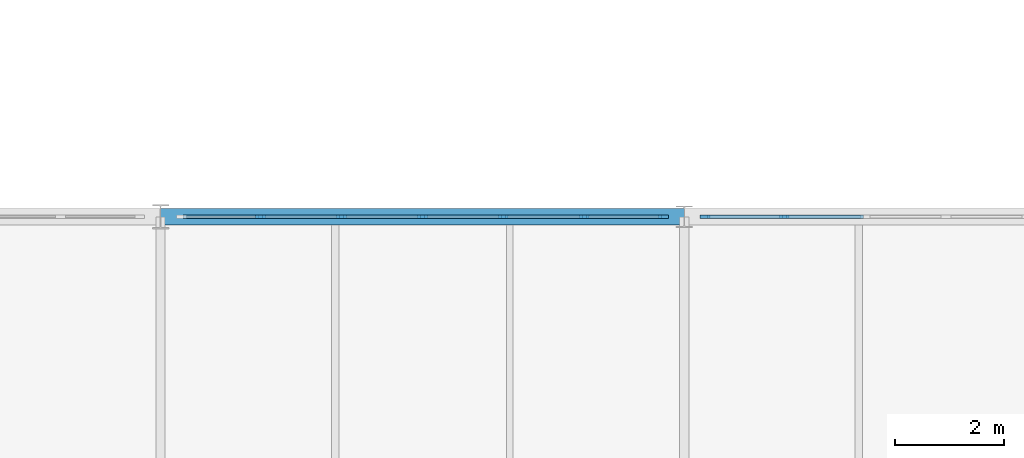
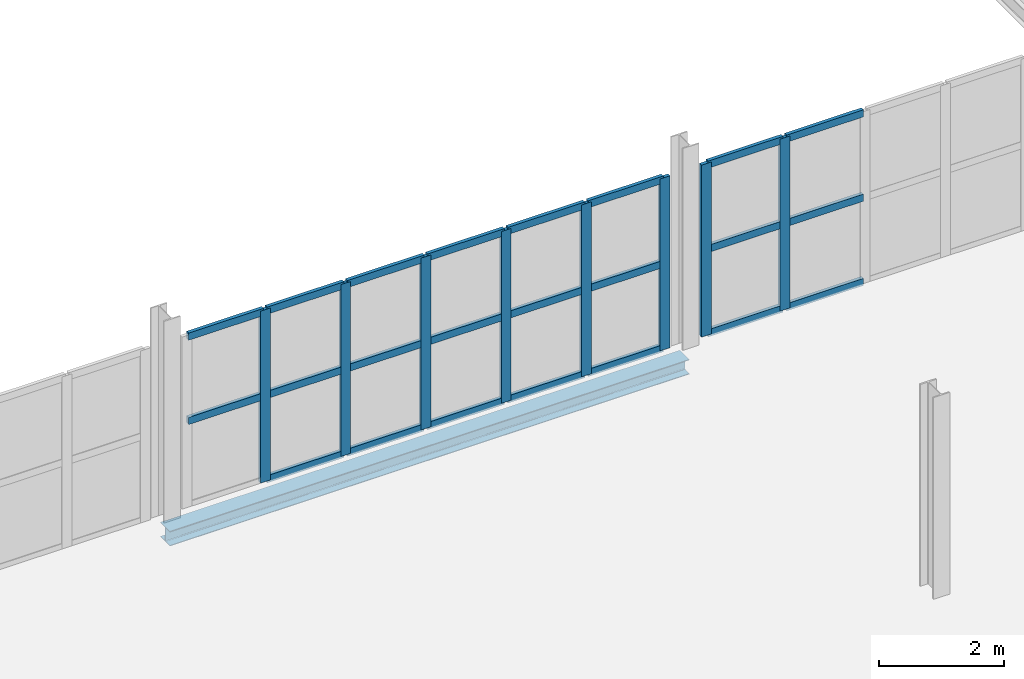
# One storey, part 45 of 85: 31 members, 1 beam, 2 elements without a shape of their own.
"""IFC4 building model written with IfcOpenShell, lengths in metres."""

from ifc_helpers import new_model, si_unit, direction, frame, origin, origin_2d, place, context, subcontext, project, spatial, rectangle, i_section, extrude, material, layer, layer_set, material_profile, profile_set, type_object, element, aggregate, save


model = new_model("IFC4")

# Units and contexts
model_context = context("Model", 3, precision=1e-05, world=origin(), true_north=direction((0.0, 1.0)))
body_context = subcontext(model_context, "Body", "Model", "MODEL_VIEW")
ifc_project = project(units=[si_unit("LENGTHUNIT", "METRE"), si_unit("AREAUNIT", "SQUARE_METRE"), si_unit("VOLUMEUNIT", "CUBIC_METRE"), si_unit("PLANEANGLEUNIT", "RADIAN"), si_unit("MASSUNIT", "GRAM", prefix="KILO")], contexts=[model_context])

# Site, building, storey
site_placement = place(None, origin())
site = spatial("IfcSite", under=ifc_project, at=site_placement, CompositionType="ELEMENT")
building_placement = place(site_placement, origin())
building = spatial("IfcBuilding", under=site, at=building_placement, Name="Alderhovde Museum", CompositionType="ELEMENT")
storey_placement = place(building_placement, frame((0.0, 0.0, 8.699951171875)))
storey = spatial("IfcBuildingStorey", under=building, at=storey_placement, Name="L02", CompositionType="ELEMENT", Elevation=8.699951171875)

# Curtain wall, members
ifc_material_1 = material(Name="Triple-Glazed Bronze-Anodised Curtain Wall", Category="glass")
ifc_layer = layer(ifc_material_1, 0.179931640625)
ifc_layer_set = layer_set([ifc_layer], Name="Triple-Glazed Bronze-Anodised Curtain Wall")
curtain_wall_type = type_object("IfcCurtainWallType", Name="CW-STIC-890x336", PredefinedType="USERDEFINED", material=ifc_layer_set)
curtain_wall_1_placement = place(storey_placement, origin())
curtain_wall_1 = element("IfcCurtainWall", 1, at=curtain_wall_1_placement, inside=storey, type_object=curtain_wall_type, Name="L02 Stick Curtain Wall 160", ObjectType="STICK CURTAIN WALL", PredefinedType="USERDEFINED")
ifc_material_2 = material(Name="Bronze-Anodised Aluminium EN AW-6063-T6", Category="aluminium")
ifc_material_profile_1 = material_profile(ifc_material_2, rectangle(XDim=0.06494140625, YDim=0.179931640625, at=origin_2d()), Name="MULLION 65x180")
ifc_profile_set_1 = profile_set([ifc_material_profile_1], Name="Bronze-Anodised Aluminium EN AW-6063-T6")
member_type_1 = type_object("IfcMemberType", Name="CWM-65x180", PredefinedType="MULLION", material=ifc_profile_set_1)
member_1_placement = place(storey_placement, frame((126.63330078125, 48.0, 0.0), z_axis=(0.0, 0.0, 1.0), x_axis=(0.0, 1.0, 0.0)))
member_1 = element("IfcMember", 2, at=member_1_placement, type_object=member_type_1, Name="CW38 mullion 2", PredefinedType="MULLION", context=body_context, shape_type="SweptSolid", body=[
    extrude(rectangle(XDim=0.06494140625, YDim=0.179931640625, at=origin_2d()), origin(), (0.0, 0.0, 1.0), 3.360107421875),
])
member_2_placement = place(storey_placement, frame((128.11669921875, 48.0, 0.0), z_axis=(0.0, 0.0, 1.0), x_axis=(0.0, 1.0, 0.0)))
member_2 = element("IfcMember", 3, at=member_2_placement, type_object=member_type_1, Name="CW38 mullion 3", PredefinedType="MULLION", context=body_context, shape_type="SweptSolid", body=[
    extrude(rectangle(XDim=0.06494140625, YDim=0.179931640625, at=origin_2d()), origin(), (0.0, 0.0, 1.0), 3.360107421875),
])
member_3_placement = place(storey_placement, frame((129.60009765625, 48.0, 0.0), z_axis=(0.0, 0.0, 1.0), x_axis=(0.0, 1.0, 0.0)))
member_3 = element("IfcMember", 4, at=member_3_placement, type_object=member_type_1, Name="CW38 mullion 4", PredefinedType="MULLION", context=body_context, shape_type="SweptSolid", body=[
    extrude(rectangle(XDim=0.06494140625, YDim=0.179931640625, at=origin_2d()), origin(), (0.0, 0.0, 1.0), 3.360107421875),
])
member_4_placement = place(storey_placement, frame((131.083251953125, 48.0, 0.0), z_axis=(0.0, 0.0, 1.0), x_axis=(0.0, 1.0, 0.0)))
member_4 = element("IfcMember", 5, at=member_4_placement, type_object=member_type_1, Name="CW38 mullion 5", PredefinedType="MULLION", context=body_context, shape_type="SweptSolid", body=[
    extrude(rectangle(XDim=0.06494140625, YDim=0.179931640625, at=origin_2d()), origin(), (0.0, 0.0, 1.0), 3.360107421875),
])
member_5_placement = place(storey_placement, frame((132.566650390625, 48.0, 0.0), z_axis=(0.0, 0.0, 1.0), x_axis=(0.0, 1.0, 0.0)))
member_5 = element("IfcMember", 6, at=member_5_placement, type_object=member_type_1, Name="CW38 mullion 6", PredefinedType="MULLION", context=body_context, shape_type="SweptSolid", body=[
    extrude(rectangle(XDim=0.06494140625, YDim=0.179931640625, at=origin_2d()), origin(), (0.0, 0.0, 1.0), 3.360107421875),
])
member_6_placement = place(storey_placement, frame((134.017578125, 48.0, 0.0), z_axis=(0.0, 0.0, 1.0), x_axis=(0.0, 1.0, 0.0)))
member_6 = element("IfcMember", 7, at=member_6_placement, type_object=member_type_1, Name="CW38 mullion 7", PredefinedType="MULLION", context=body_context, shape_type="SweptSolid", body=[
    extrude(rectangle(XDim=0.06494140625, YDim=0.179931640625, at=origin_2d()), origin(), (0.0, 0.0, 1.0), 3.360107421875),
])

curtain_wall_2_placement = place(storey_placement, origin())
curtain_wall_2 = element("IfcCurtainWall", 8, at=curtain_wall_2_placement, inside=storey, type_object=curtain_wall_type, Name="L02 Stick Curtain Wall 163", ObjectType="STICK CURTAIN WALL", PredefinedType="USERDEFINED")
member_7_placement = place(storey_placement, frame((134.782470703125, 48.0, 0.0), z_axis=(0.0, 0.0, 1.0), x_axis=(0.0, 1.0, 0.0)))
member_7 = element("IfcMember", 9, at=member_7_placement, type_object=member_type_1, Name="CW38 mullion 1", PredefinedType="MULLION", context=body_context, shape_type="SweptSolid", body=[
    extrude(rectangle(XDim=0.06494140625, YDim=0.179931640625, at=origin_2d()), origin(), (0.0, 0.0, 1.0), 3.360107421875),
])
member_8_placement = place(storey_placement, frame((136.2333984375, 48.0, 0.0), z_axis=(0.0, 0.0, 1.0), x_axis=(0.0, 1.0, 0.0)))
member_8 = element("IfcMember", 10, at=member_8_placement, type_object=member_type_1, Name="CW38 mullion 2", PredefinedType="MULLION", context=body_context, shape_type="SweptSolid", body=[
    extrude(rectangle(XDim=0.06494140625, YDim=0.179931640625, at=origin_2d()), origin(), (0.0, 0.0, 1.0), 3.360107421875),
])

# Member
ifc_material_3 = material(Name="Bronze-Anodised Aluminium EN AW-6063-T6", Category="aluminium")
ifc_material_profile_2 = material_profile(ifc_material_3, rectangle(XDim=0.06494140625, YDim=0.139892578125, at=origin_2d()), Name="TRANSOM 65x140")
ifc_profile_set_2 = profile_set([ifc_material_profile_2], Name="Bronze-Anodised Aluminium EN AW-6063-T6")
member_type_2 = type_object("IfcMemberType", Name="CWT-65x140", PredefinedType="USERDEFINED", material=ifc_profile_set_2)
member_9_placement = place(storey_placement, frame((125.215087890625, 48.0, 1.679931640625), z_axis=(1.0, 0.0, 0.0), x_axis=(0.0, 1.0, 0.0)))
member_9 = element("IfcMember", 11, at=member_9_placement, type_object=member_type_2, Name="CW38 transom 1.2", ObjectType="TRANSOM", PredefinedType="USERDEFINED", context=body_context, shape_type="SweptSolid", body=[
    extrude(rectangle(XDim=0.06494140625, YDim=0.139892578125, at=origin_2d()), origin(), (0.0, 0.0, 1.0), 1.3857421875),
])

member_10_placement = place(storey_placement, frame((125.215087890625, 48.0, 3.32763671875), z_axis=(1.0, 0.0, 0.0), x_axis=(0.0, 1.0, 0.0)))
member_10 = element("IfcMember", 12, at=member_10_placement, type_object=member_type_2, Name="CW38 transom 1.3", ObjectType="TRANSOM", PredefinedType="USERDEFINED", context=body_context, shape_type="SweptSolid", body=[
    extrude(rectangle(XDim=0.06494140625, YDim=0.139892578125, at=origin_2d()), origin(), (0.0, 0.0, 1.0), 1.3857421875),
])

member_11_placement = place(storey_placement, frame((126.665771484375, 48.0, 0.032470703125), z_axis=(1.0, 0.0, 0.0), x_axis=(0.0, 1.0, 0.0)))
member_11 = element("IfcMember", 13, at=member_11_placement, type_object=member_type_2, Name="CW38 transom 2.1", ObjectType="TRANSOM", PredefinedType="USERDEFINED", context=body_context, shape_type="SweptSolid", body=[
    extrude(rectangle(XDim=0.06494140625, YDim=0.139892578125, at=origin_2d()), origin(), (0.0, 0.0, 1.0), 1.41845703125),
])

member_12_placement = place(storey_placement, frame((126.665771484375, 48.0, 1.679931640625), z_axis=(1.0, 0.0, 0.0), x_axis=(0.0, 1.0, 0.0)))
member_12 = element("IfcMember", 14, at=member_12_placement, type_object=member_type_2, Name="CW38 transom 2.2", ObjectType="TRANSOM", PredefinedType="USERDEFINED", context=body_context, shape_type="SweptSolid", body=[
    extrude(rectangle(XDim=0.06494140625, YDim=0.139892578125, at=origin_2d()), origin(), (0.0, 0.0, 1.0), 1.41845703125),
])

member_13_placement = place(storey_placement, frame((126.665771484375, 48.0, 3.32763671875), z_axis=(1.0, 0.0, 0.0), x_axis=(0.0, 1.0, 0.0)))
member_13 = element("IfcMember", 15, at=member_13_placement, type_object=member_type_2, Name="CW38 transom 2.3", ObjectType="TRANSOM", PredefinedType="USERDEFINED", context=body_context, shape_type="SweptSolid", body=[
    extrude(rectangle(XDim=0.06494140625, YDim=0.139892578125, at=origin_2d()), origin(), (0.0, 0.0, 1.0), 1.41845703125),
])

member_14_placement = place(storey_placement, frame((128.149169921875, 48.0, 0.032470703125), z_axis=(1.0, 0.0, 0.0), x_axis=(0.0, 1.0, 0.0)))
member_14 = element("IfcMember", 16, at=member_14_placement, type_object=member_type_2, Name="CW38 transom 3.1", ObjectType="TRANSOM", PredefinedType="USERDEFINED", context=body_context, shape_type="SweptSolid", body=[
    extrude(rectangle(XDim=0.06494140625, YDim=0.139892578125, at=origin_2d()), origin(), (0.0, 0.0, 1.0), 1.418212890625),
])

member_15_placement = place(storey_placement, frame((128.149169921875, 48.0, 1.679931640625), z_axis=(1.0, 0.0, 0.0), x_axis=(0.0, 1.0, 0.0)))
member_15 = element("IfcMember", 17, at=member_15_placement, type_object=member_type_2, Name="CW38 transom 3.2", ObjectType="TRANSOM", PredefinedType="USERDEFINED", context=body_context, shape_type="SweptSolid", body=[
    extrude(rectangle(XDim=0.06494140625, YDim=0.139892578125, at=origin_2d()), origin(), (0.0, 0.0, 1.0), 1.418212890625),
])

member_16_placement = place(storey_placement, frame((128.149169921875, 48.0, 3.32763671875), z_axis=(1.0, 0.0, 0.0), x_axis=(0.0, 1.0, 0.0)))
member_16 = element("IfcMember", 18, at=member_16_placement, type_object=member_type_2, Name="CW38 transom 3.3", ObjectType="TRANSOM", PredefinedType="USERDEFINED", context=body_context, shape_type="SweptSolid", body=[
    extrude(rectangle(XDim=0.06494140625, YDim=0.139892578125, at=origin_2d()), origin(), (0.0, 0.0, 1.0), 1.418212890625),
])

member_17_placement = place(storey_placement, frame((129.632568359375, 48.0, 0.032470703125), z_axis=(1.0, 0.0, 0.0), x_axis=(0.0, 1.0, 0.0)))
member_17 = element("IfcMember", 19, at=member_17_placement, type_object=member_type_2, Name="CW38 transom 4.1", ObjectType="TRANSOM", PredefinedType="USERDEFINED", context=body_context, shape_type="SweptSolid", body=[
    extrude(rectangle(XDim=0.06494140625, YDim=0.139892578125, at=origin_2d()), origin(), (0.0, 0.0, 1.0), 1.418212890625),
])

member_18_placement = place(storey_placement, frame((129.632568359375, 48.0, 1.679931640625), z_axis=(1.0, 0.0, 0.0), x_axis=(0.0, 1.0, 0.0)))
member_18 = element("IfcMember", 20, at=member_18_placement, type_object=member_type_2, Name="CW38 transom 4.2", ObjectType="TRANSOM", PredefinedType="USERDEFINED", context=body_context, shape_type="SweptSolid", body=[
    extrude(rectangle(XDim=0.06494140625, YDim=0.139892578125, at=origin_2d()), origin(), (0.0, 0.0, 1.0), 1.418212890625),
])

member_19_placement = place(storey_placement, frame((129.632568359375, 48.0, 3.32763671875), z_axis=(1.0, 0.0, 0.0), x_axis=(0.0, 1.0, 0.0)))
member_19 = element("IfcMember", 21, at=member_19_placement, type_object=member_type_2, Name="CW38 transom 4.3", ObjectType="TRANSOM", PredefinedType="USERDEFINED", context=body_context, shape_type="SweptSolid", body=[
    extrude(rectangle(XDim=0.06494140625, YDim=0.139892578125, at=origin_2d()), origin(), (0.0, 0.0, 1.0), 1.418212890625),
])

member_20_placement = place(storey_placement, frame((131.11572265625, 48.0, 0.032470703125), z_axis=(1.0, 0.0, 0.0), x_axis=(0.0, 1.0, 0.0)))
member_20 = element("IfcMember", 22, at=member_20_placement, type_object=member_type_2, Name="CW38 transom 5.1", ObjectType="TRANSOM", PredefinedType="USERDEFINED", context=body_context, shape_type="SweptSolid", body=[
    extrude(rectangle(XDim=0.06494140625, YDim=0.139892578125, at=origin_2d()), origin(), (0.0, 0.0, 1.0), 1.41845703125),
])

member_21_placement = place(storey_placement, frame((131.11572265625, 48.0, 1.679931640625), z_axis=(1.0, 0.0, 0.0), x_axis=(0.0, 1.0, 0.0)))
member_21 = element("IfcMember", 23, at=member_21_placement, type_object=member_type_2, Name="CW38 transom 5.2", ObjectType="TRANSOM", PredefinedType="USERDEFINED", context=body_context, shape_type="SweptSolid", body=[
    extrude(rectangle(XDim=0.06494140625, YDim=0.139892578125, at=origin_2d()), origin(), (0.0, 0.0, 1.0), 1.41845703125),
])

member_22_placement = place(storey_placement, frame((131.11572265625, 48.0, 3.32763671875), z_axis=(1.0, 0.0, 0.0), x_axis=(0.0, 1.0, 0.0)))
member_22 = element("IfcMember", 24, at=member_22_placement, type_object=member_type_2, Name="CW38 transom 5.3", ObjectType="TRANSOM", PredefinedType="USERDEFINED", context=body_context, shape_type="SweptSolid", body=[
    extrude(rectangle(XDim=0.06494140625, YDim=0.139892578125, at=origin_2d()), origin(), (0.0, 0.0, 1.0), 1.41845703125),
])

member_23_placement = place(storey_placement, frame((132.59912109375, 48.0, 0.032470703125), z_axis=(1.0, 0.0, 0.0), x_axis=(0.0, 1.0, 0.0)))
member_23 = element("IfcMember", 25, at=member_23_placement, type_object=member_type_2, Name="CW38 transom 6.1", ObjectType="TRANSOM", PredefinedType="USERDEFINED", context=body_context, shape_type="SweptSolid", body=[
    extrude(rectangle(XDim=0.06494140625, YDim=0.139892578125, at=origin_2d()), origin(), (0.0, 0.0, 1.0), 1.385986328125),
])

member_24_placement = place(storey_placement, frame((132.59912109375, 48.0, 1.679931640625), z_axis=(1.0, 0.0, 0.0), x_axis=(0.0, 1.0, 0.0)))
member_24 = element("IfcMember", 26, at=member_24_placement, type_object=member_type_2, Name="CW38 transom 6.2", ObjectType="TRANSOM", PredefinedType="USERDEFINED", context=body_context, shape_type="SweptSolid", body=[
    extrude(rectangle(XDim=0.06494140625, YDim=0.139892578125, at=origin_2d()), origin(), (0.0, 0.0, 1.0), 1.385986328125),
])

member_25_placement = place(storey_placement, frame((132.59912109375, 48.0, 3.32763671875), z_axis=(1.0, 0.0, 0.0), x_axis=(0.0, 1.0, 0.0)))
member_25 = element("IfcMember", 27, at=member_25_placement, type_object=member_type_2, Name="CW38 transom 6.3", ObjectType="TRANSOM", PredefinedType="USERDEFINED", context=body_context, shape_type="SweptSolid", body=[
    extrude(rectangle(XDim=0.06494140625, YDim=0.139892578125, at=origin_2d()), origin(), (0.0, 0.0, 1.0), 1.385986328125),
])

aggregate(curtain_wall_1, [member_1, member_2, member_3, member_4, member_5, member_6, member_9, member_10, member_11, member_12, member_13, member_14, member_15, member_16, member_17, member_18, member_19, member_20, member_21, member_22, member_23, member_24, member_25])

member_26_placement = place(storey_placement, frame((134.81494140625, 48.0, 0.032470703125), z_axis=(1.0, 0.0, 0.0), x_axis=(0.0, 1.0, 0.0)))
member_26 = element("IfcMember", 28, at=member_26_placement, type_object=member_type_2, Name="CW38 transom 1.1", ObjectType="TRANSOM", PredefinedType="USERDEFINED", context=body_context, shape_type="SweptSolid", body=[
    extrude(rectangle(XDim=0.06494140625, YDim=0.139892578125, at=origin_2d()), origin(), (0.0, 0.0, 1.0), 1.385986328125),
])

member_27_placement = place(storey_placement, frame((134.81494140625, 48.0, 1.679931640625), z_axis=(1.0, 0.0, 0.0), x_axis=(0.0, 1.0, 0.0)))
member_27 = element("IfcMember", 29, at=member_27_placement, type_object=member_type_2, Name="CW38 transom 1.2", ObjectType="TRANSOM", PredefinedType="USERDEFINED", context=body_context, shape_type="SweptSolid", body=[
    extrude(rectangle(XDim=0.06494140625, YDim=0.139892578125, at=origin_2d()), origin(), (0.0, 0.0, 1.0), 1.385986328125),
])

member_28_placement = place(storey_placement, frame((134.81494140625, 48.0, 3.32763671875), z_axis=(1.0, 0.0, 0.0), x_axis=(0.0, 1.0, 0.0)))
member_28 = element("IfcMember", 30, at=member_28_placement, type_object=member_type_2, Name="CW38 transom 1.3", ObjectType="TRANSOM", PredefinedType="USERDEFINED", context=body_context, shape_type="SweptSolid", body=[
    extrude(rectangle(XDim=0.06494140625, YDim=0.139892578125, at=origin_2d()), origin(), (0.0, 0.0, 1.0), 1.385986328125),
])

member_29_placement = place(storey_placement, frame((136.265869140625, 48.0, 0.032470703125), z_axis=(1.0, 0.0, 0.0), x_axis=(0.0, 1.0, 0.0)))
member_29 = element("IfcMember", 31, at=member_29_placement, type_object=member_type_2, Name="CW38 transom 2.1", ObjectType="TRANSOM", PredefinedType="USERDEFINED", context=body_context, shape_type="SweptSolid", body=[
    extrude(rectangle(XDim=0.06494140625, YDim=0.139892578125, at=origin_2d()), origin(), (0.0, 0.0, 1.0), 1.418212890625),
])

member_30_placement = place(storey_placement, frame((136.265869140625, 48.0, 1.679931640625), z_axis=(1.0, 0.0, 0.0), x_axis=(0.0, 1.0, 0.0)))
member_30 = element("IfcMember", 32, at=member_30_placement, type_object=member_type_2, Name="CW38 transom 2.2", ObjectType="TRANSOM", PredefinedType="USERDEFINED", context=body_context, shape_type="SweptSolid", body=[
    extrude(rectangle(XDim=0.06494140625, YDim=0.139892578125, at=origin_2d()), origin(), (0.0, 0.0, 1.0), 1.418212890625),
])

member_31_placement = place(storey_placement, frame((136.265869140625, 48.0, 3.32763671875), z_axis=(1.0, 0.0, 0.0), x_axis=(0.0, 1.0, 0.0)))
member_31 = element("IfcMember", 33, at=member_31_placement, type_object=member_type_2, Name="CW38 transom 2.3", ObjectType="TRANSOM", PredefinedType="USERDEFINED", context=body_context, shape_type="SweptSolid", body=[
    extrude(rectangle(XDim=0.06494140625, YDim=0.139892578125, at=origin_2d()), origin(), (0.0, 0.0, 1.0), 1.418212890625),
])

aggregate(curtain_wall_2, [member_7, member_8, member_26, member_27, member_28, member_29, member_30, member_31])

# Beam
ifc_material_4 = material(Name="Steel S355J2", Category="steel")
ifc_material_profile_3 = material_profile(ifc_material_4, i_section(OverallWidth=0.300048828125, OverallDepth=0.2900390625, WebThickness=0.008544921875, FlangeThickness=0.013916015625, FilletRadius=0.027099609375, at=origin_2d()), Name="HEA 300")
ifc_profile_set_3 = profile_set([ifc_material_profile_3], Name="Steel S355J2")
beam_type = type_object("IfcBeamType", Name="SPD-HEA300", PredefinedType="SPANDREL", material=ifc_profile_set_3)
beam_placement = place(storey_placement, frame((124.800048828125, 48.0, -0.405029296875), z_axis=(1.0, 0.0, 0.0), x_axis=(0.0, 1.0, 0.0)))
element("IfcBeam", 34, at=beam_placement, inside=storey, type_object=beam_type, Name="L02 Grid Beam Y=48.0 (124.8 TO 134.4)", PredefinedType="SPANDREL", context=body_context, shape_type="SweptSolid", body=[
    extrude(i_section(OverallWidth=0.300048828125, OverallDepth=0.2900390625, WebThickness=0.008544921875, FlangeThickness=0.013916015625, FilletRadius=0.027099609375, at=origin_2d()), origin(), (0.0, 0.0, 1.0), 9.599853515625),
])

save(model, "model.ifc")
